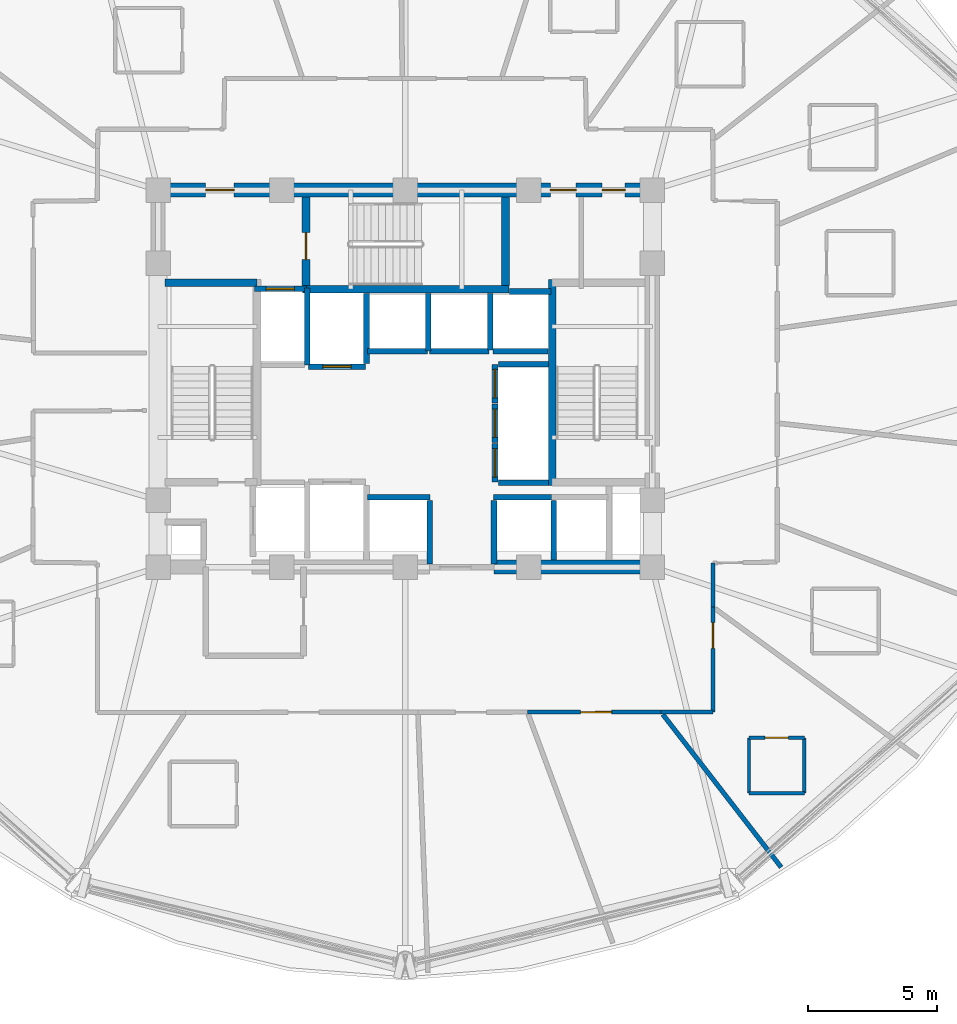
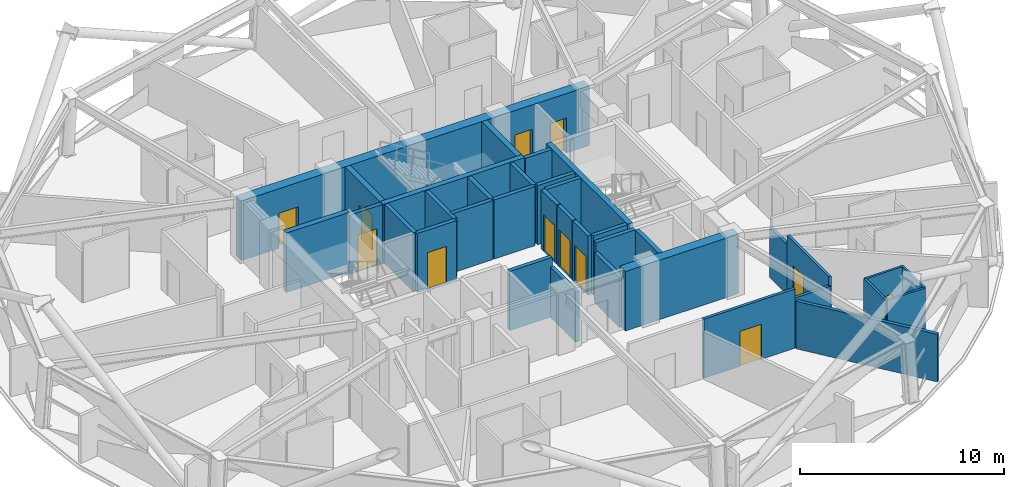
# One storey, part 7 of 13: 36 walls, 12 doors, 12 openings.
"""IFC4 building model written with IfcOpenShell, lengths in metres."""

from ifc_helpers import new_model, si_unit, direction, frame, frame_2d, origin, place, context, subcontext, project, spatial, rectangle, extrude, material, layer, layer_set, type_object, element, fill, save


model = new_model("IFC4")

# Units and contexts
model_context = context("Model", 3, precision=1e-05, world=origin(), true_north=direction((0.0, 1.0)))
body_context = subcontext(model_context, "Body", "Model", "MODEL_VIEW")
ifc_project = project(units=[si_unit("LENGTHUNIT", "METRE"), si_unit("AREAUNIT", "SQUARE_METRE"), si_unit("VOLUMEUNIT", "CUBIC_METRE"), si_unit("PLANEANGLEUNIT", "RADIAN"), si_unit("MASSUNIT", "GRAM", prefix="KILO")], contexts=[model_context])

# Site, building, storey
site_placement = place(None, origin())
site = spatial("IfcSite", under=ifc_project, at=site_placement, CompositionType="ELEMENT")
building_placement = place(site_placement, origin())
building = spatial("IfcBuilding", under=site, at=building_placement, Name="Vantalir Tower", CompositionType="ELEMENT")
storey_placement = place(building_placement, frame((0.0, 0.0, 127.199951171875)))
storey = spatial("IfcBuildingStorey", under=building, at=storey_placement, Name="L31", CompositionType="ELEMENT", Elevation=127.199951171875)

# Wall
ifc_material_1 = material(Name="Moisture-resistant en-suite partition", Category="gypsum")
ifc_layer_1 = layer(ifc_material_1, 0.125)
ifc_layer_set_1 = layer_set([ifc_layer_1], Name="Moisture-resistant en-suite partition")
wall_type_1 = type_object("IfcWallType", Name="WL-BATH-125", PredefinedType="PARTITIONING", material=ifc_layer_set_1)
wall_1_placement = place(storey_placement, frame((44.85888671875, 9.01806640625, 0.0), z_axis=(0.0, 0.0, 1.0), x_axis=(1.0, 0.0, 0.0)))
element("IfcWall", 1, at=wall_1_placement, inside=storey, type_object=wall_type_1, Name="L31 En-suite 15 South Wall", PredefinedType="PARTITIONING", context=body_context, shape_type="SweptSolid", body=[
    extrude(rectangle(XDim=2.150146484375, YDim=0.125, at=frame_2d((1.0751953125, 0.0))), origin(), (0.0, 0.0, 1.0), 3.550048828125),
])

# Wall, opening, door
wall_2_placement = place(storey_placement, frame((44.85888671875, 11.16796875, 0.0), z_axis=(0.0, 0.0, 1.0), x_axis=(1.0, 0.0, 0.0)))
wall_2 = element("IfcWall", 2, at=wall_2_placement, inside=storey, type_object=wall_type_1, Name="L31 En-suite 15 North Wall", PredefinedType="PARTITIONING", context=body_context, shape_type="SweptSolid", body=[
    extrude(rectangle(XDim=2.150146484375, YDim=0.125, at=frame_2d((1.0751953125, 0.0))), origin(), (0.0, 0.0, 1.0), 3.550048828125),
])
opening_1_placement = place(wall_2_placement, frame((0.625, 0.0, 0.0)))
opening_1 = element("IfcOpeningElement", 3, at=opening_1_placement, cuts=wall_2, Name="Opening D-WC", PredefinedType="OPENING", context=body_context, shape_type="SweptSolid", body=[
    extrude(rectangle(XDim=0.89990234375, YDim=2.10009765625, at=frame_2d((0.449951171875, 1.050048828125))), frame((0.0, 0.072509765625, 0.0), z_axis=(0.0, -1.0, 0.0), x_axis=(1.0, 0.0, 0.0)), (0.0, 0.0, 1.0), 0.14501953125),
])
ifc_material_2 = material(Name="Moisture-resistant hardwood door", Category="wood")
door_type_1 = type_object("IfcDoorType", Name="DR-ENSUITE-900", OperationType="NOTDEFINED", PredefinedType="DOOR", material=ifc_material_2)
door_1_placement = place(opening_1_placement, frame((0.89990234375, 0.0, 0.0), z_axis=(0.0, 0.0, 1.0), x_axis=(-1.0, 0.0, 0.0)))
door_1 = element("IfcDoor", 4, at=door_1_placement, inside=storey, type_object=door_type_1, Name="L31 En-suite 15 Door", OperationType="SINGLE_SWING_LEFT", OverallHeight=2.10009765625, OverallWidth=0.89990234375, PredefinedType="DOOR", context=body_context, shape_type="SweptSolid", body=[
    extrude(rectangle(XDim=0.89990234375, YDim=2.10009765625, at=frame_2d((0.449951171875, 1.050048828125))), frame((0.0, 0.02490234375, 0.0), z_axis=(0.0, -1.0, 0.0), x_axis=(1.0, 0.0, 0.0)), (0.0, 0.0, 1.0), 0.050048828125),
])
fill(opening_1, door_1)

# Walls
for number, where, z_axis, x_axis, name in (
    (5, (44.85888671875, 9.01806640625, 0.0), (0.0, 0.0, 1.0), (0.0, 1.0, 0.0), "L31 En-suite 15 West Wall"),
    (6, (47.009033203125, 9.01806640625, 0.0), (0.0, 0.0, 1.0), (0.0, 1.0, 0.0), "L31 En-suite 15 East Wall"),
):
    element("IfcWall", number, at=place(storey_placement, frame(where, z_axis=z_axis, x_axis=x_axis)), inside=storey, type_object=wall_type_1, Name=name, PredefinedType="PARTITIONING", context=body_context, shape_type="SweptSolid", body=[
        extrude(rectangle(XDim=2.14990234375, YDim=0.125, at=frame_2d((1.074951171875, 0.0))), origin(), (0.0, 0.0, 1.0), 3.550048828125),
    ])
ifc_material_3 = material(Name="Concrete C60/75", Category="concrete")
ifc_layer_2 = layer(ifc_material_3, 0.550048828125)
ifc_layer_set_2 = layer_set([ifc_layer_2], Name="Concrete C60/75")
wall_type_2 = type_object("IfcWallType", Name="WL-CORE-550", PredefinedType="SHEAR", material=ifc_layer_set_2)
wall_3_placement = place(storey_placement, frame((34.949951171875, 17.800048828125, 0.0), z_axis=(0.0, 0.0, 1.0), x_axis=(1.0, 0.0, 0.0)))
element("IfcWall", 7, at=wall_3_placement, inside=storey, type_object=wall_type_2, Name="L31 Core Shear Wall South-East", PredefinedType="SHEAR", context=body_context, shape_type="SweptSolid", body=[
    extrude(rectangle(XDim=6.425048828125, YDim=0.550048828125, at=frame_2d((3.21240234375, 0.0))), origin(), (0.0, 0.0, 1.0), 3.570068359375),
])

# Wall, openings, doors
wall_4_placement = place(storey_placement, frame((21.625, 32.449951171875, 0.0), z_axis=(0.0, 0.0, 1.0), x_axis=(1.0, 0.0, 0.0)))
wall_4 = element("IfcWall", 8, at=wall_4_placement, inside=storey, type_object=wall_type_2, Name="L31 Core Shear Wall North", PredefinedType="SHEAR", context=body_context, shape_type="SweptSolid", body=[
    extrude(rectangle(XDim=19.75, YDim=0.550048828125, at=frame_2d((9.875, 0.0))), origin(), (0.0, 0.0, 1.0), 3.570068359375),
])
opening_2_placement = place(wall_4_placement, frame((2.125, 0.0, 0.0)))
opening_2 = element("IfcOpeningElement", 9, at=opening_2_placement, cuts=wall_4, Name="Opening D-FFL", PredefinedType="OPENING", context=body_context, shape_type="SweptSolid", body=[
    extrude(rectangle(XDim=1.10009765625, YDim=2.10009765625, at=frame_2d((0.550048828125, 1.050048828125))), frame((0.0, 0.284912109375, 0.0), z_axis=(0.0, -1.0, 0.0), x_axis=(1.0, 0.0, 0.0)), (0.0, 0.0, 1.0), 0.570068359375),
])
opening_3_placement = place(wall_4_placement, frame((15.514892578125, 0.0, 0.0)))
opening_3 = element("IfcOpeningElement", 10, at=opening_3_placement, cuts=wall_4, Name="Opening D-GUEST", PredefinedType="OPENING", context=body_context, shape_type="SweptSolid", body=[
    extrude(rectangle(XDim=1.0, YDim=2.10009765625, at=frame_2d((0.5, 1.050048828125))), frame((0.0, 0.284912109375, 0.0), z_axis=(0.0, -1.0, 0.0), x_axis=(1.0, 0.0, 0.0)), (0.0, 0.0, 1.0), 0.570068359375),
])
opening_4_placement = place(wall_4_placement, frame((17.52490234375, 0.0, 0.0)))
opening_4 = element("IfcOpeningElement", 11, at=opening_4_placement, cuts=wall_4, Name="Opening D-CR", PredefinedType="OPENING", context=body_context, shape_type="SweptSolid", body=[
    extrude(rectangle(XDim=0.89990234375, YDim=2.10009765625, at=frame_2d((0.449951171875, 1.050048828125))), frame((0.0, 0.284912109375, 0.0), z_axis=(0.0, -1.0, 0.0), x_axis=(1.0, 0.0, 0.0)), (0.0, 0.0, 1.0), 0.570068359375),
])
ifc_material_4 = material(Name="Fire-rated steel core service door", Category="steel")
door_type_2 = type_object("IfcDoorType", Name="DR-CORE-SERV-900", OperationType="NOTDEFINED", PredefinedType="DOOR", material=ifc_material_4)
door_2_placement = place(opening_4_placement, frame((0.89990234375, 0.0, 0.0), z_axis=(0.0, 0.0, 1.0), x_axis=(-1.0, 0.0, 0.0)))
door_2 = element("IfcDoor", 12, at=door_2_placement, inside=storey, type_object=door_type_2, Name="L31 Housekeeping and Linen Room Door", OperationType="SINGLE_SWING_RIGHT", OverallHeight=2.10009765625, OverallWidth=0.89990234375, PredefinedType="DOOR", context=body_context, shape_type="SweptSolid", body=[
    extrude(rectangle(XDim=0.89990234375, YDim=2.10009765625, at=frame_2d((0.449951171875, 1.050048828125))), frame((0.0, 0.02490234375, 0.0), z_axis=(0.0, -1.0, 0.0), x_axis=(1.0, 0.0, 0.0)), (0.0, 0.0, 1.0), 0.050048828125),
])
fill(opening_4, door_2)
ifc_material_5 = material(Name="Fire-rated acoustic steel door", Category="steel")
door_type_3 = type_object("IfcDoorType", Name="DR-FIRE-LOBBY-1100", OperationType="NOTDEFINED", PredefinedType="DOOR", material=ifc_material_5)
door_3_placement = place(opening_2_placement, frame((1.10009765625, 0.0, 0.0), z_axis=(0.0, 0.0, 1.0), x_axis=(-1.0, 0.0, 0.0)))
door_3 = element("IfcDoor", 13, at=door_3_placement, inside=storey, type_object=door_type_3, Name="L31 Firefighting Lobby East Access Door", OperationType="SINGLE_SWING_LEFT", OverallHeight=2.10009765625, OverallWidth=1.10009765625, PredefinedType="DOOR", context=body_context, shape_type="SweptSolid", body=[
    extrude(rectangle(XDim=1.10009765625, YDim=2.10009765625, at=frame_2d((0.550048828125, 1.050048828125))), frame((0.0, 0.02490234375, 0.0), z_axis=(0.0, -1.0, 0.0), x_axis=(1.0, 0.0, 0.0)), (0.0, 0.0, 1.0), 0.050048828125),
])
fill(opening_2, door_3)
ifc_material_6 = material(Name="Solid-core teak veneer acoustic fire door", Category="wood")
door_type_4 = type_object("IfcDoorType", Name="DR-GUEST-ENTRY-1000", OperationType="NOTDEFINED", PredefinedType="DOOR", material=ifc_material_6)
door_4_placement = place(opening_3_placement, frame((1.0, 0.0, 0.0), z_axis=(0.0, 0.0, 1.0), x_axis=(-1.0, 0.0, 0.0)))
door_4 = element("IfcDoor", 14, at=door_4_placement, inside=storey, type_object=door_type_4, Name="L31 High-Rise Lift Lobby Door", OperationType="SINGLE_SWING_LEFT", OverallHeight=2.10009765625, OverallWidth=1.0, PredefinedType="DOOR", context=body_context, shape_type="SweptSolid", body=[
    extrude(rectangle(XDim=1.0, YDim=2.10009765625, at=frame_2d((0.5, 1.050048828125))), frame((0.0, 0.02490234375, 0.0), z_axis=(0.0, -1.0, 0.0), x_axis=(1.0, 0.0, 0.0)), (0.0, 0.0, 1.0), 0.050048828125),
])
fill(opening_3, door_4)

# Wall
ifc_material_7 = material(Name="Fire-rated hotel corridor acoustic partition", Category="gypsum")
ifc_layer_3 = layer(ifc_material_7, 0.159912109375)
ifc_layer_set_3 = layer_set([ifc_layer_3], Name="Fire-rated hotel corridor acoustic partition")
wall_type_3 = type_object("IfcWallType", Name="WL-CORR-160", PredefinedType="PARTITIONING", material=ifc_layer_set_3)
wall_5_placement = place(storey_placement, frame((43.465087890625, 17.9599609375, 0.0), z_axis=(0.0, 0.0, 1.0), x_axis=(-0.001279680454, -0.999999181209, 0.0)))
element("IfcWall", 15, at=wall_5_placement, inside=storey, type_object=wall_type_3, Name="L31 Corridor Partition 24", PredefinedType="PARTITIONING", context=body_context, shape_type="SweptSolid", body=[
    extrude(rectangle(XDim=1.717041015625, YDim=0.159912109375, at=frame_2d((0.8583984375, 0.0))), origin(), (0.0, 0.0, 1.0), 3.006103515625),
])

# Wall, opening, door
wall_6_placement = place(storey_placement, frame((43.462890625, 16.242919921875, 0.0), z_axis=(0.0, 0.0, 1.0), x_axis=(-0.001198249694, -0.999999282099, 0.0)))
wall_6 = element("IfcWall", 16, at=wall_6_placement, inside=storey, type_object=wall_type_3, Name="L31 Corridor Partition 25", PredefinedType="PARTITIONING", context=body_context, shape_type="SweptSolid", body=[
    extrude(rectangle(XDim=4.074951171875, YDim=0.159912109375, at=frame_2d((2.03759765625, 0.0))), origin(), (0.0, 0.0, 1.0), 3.550048828125),
])
opening_5_placement = place(wall_6_placement, frame((0.594970703125, 0.0, 0.0)))
opening_5 = element("IfcOpeningElement", 17, at=opening_5_placement, cuts=wall_6, Name="Opening D-GUEST", PredefinedType="OPENING", context=body_context, shape_type="SweptSolid", body=[
    extrude(rectangle(XDim=1.0, YDim=2.10009765625, at=frame_2d((0.5, 1.050048828125))), frame((0.0, 0.08984375, 0.0), z_axis=(0.0, -1.0, 0.0), x_axis=(1.0, 0.0, 0.0)), (0.0, 0.0, 1.0), 0.179931640625),
])
door_5_placement = place(opening_5_placement, origin())
door_5 = element("IfcDoor", 18, at=door_5_placement, inside=storey, type_object=door_type_4, Name="L31 Deluxe King Hotel Room 15 Door", OperationType="SINGLE_SWING_RIGHT", OverallHeight=2.10009765625, OverallWidth=1.0, PredefinedType="DOOR", context=body_context, shape_type="SweptSolid", body=[
    extrude(rectangle(XDim=1.0, YDim=2.10009765625, at=frame_2d((0.5, 1.050048828125))), frame((0.0, 0.02490234375, 0.0), z_axis=(0.0, -1.0, 0.0), x_axis=(1.0, 0.0, 0.0)), (0.0, 0.0, 1.0), 0.050048828125),
])
fill(opening_5, door_5)

# Wall
wall_7_placement = place(storey_placement, frame((43.4580078125, 12.16796875, 0.0), z_axis=(0.0, 0.0, 1.0), x_axis=(-0.999999882802, -0.000484144218, 0.0)))
element("IfcWall", 19, at=wall_7_placement, inside=storey, type_object=wall_type_3, Name="L31 Corridor Partition 26", PredefinedType="PARTITIONING", context=body_context, shape_type="SweptSolid", body=[
    extrude(rectangle(XDim=2.01708984375, YDim=0.159912109375, at=frame_2d((1.008544921875, 0.0))), origin(), (0.0, 0.0, 1.0), 3.006103515625),
])

# Wall, opening, door
wall_8_placement = place(storey_placement, frame((41.44091796875, 12.1669921875, 0.0), z_axis=(0.0, 0.0, 1.0), x_axis=(-0.999999840674, -0.000564493277, 0.0)))
wall_8 = element("IfcWall", 20, at=wall_8_placement, inside=storey, type_object=wall_type_3, Name="L31 Corridor Partition 27", PredefinedType="PARTITIONING", context=body_context, shape_type="SweptSolid", body=[
    extrude(rectangle(XDim=5.18994140625, YDim=0.159912109375, at=frame_2d((2.594970703125, 0.0))), origin(), (0.0, 0.0, 1.0), 3.550048828125),
])
opening_6_placement = place(wall_8_placement, frame((1.922119140625, 0.0, 0.0)))
opening_6 = element("IfcOpeningElement", 21, at=opening_6_placement, cuts=wall_8, Name="Opening D-STE", PredefinedType="OPENING", context=body_context, shape_type="SweptSolid", body=[
    extrude(rectangle(XDim=1.199951171875, YDim=2.10009765625, at=frame_2d((0.60009765625, 1.050048828125))), frame((0.0, 0.08984375, 0.0), z_axis=(0.0, -1.0, 0.0), x_axis=(1.0, 0.0, 0.0)), (0.0, 0.0, 1.0), 0.179931640625),
])
ifc_material_8 = material(Name="Solid-core teak veneer suite entrance door", Category="wood")
door_type_5 = type_object("IfcDoorType", Name="DR-SUITE-ENTRY-1200", OperationType="NOTDEFINED", PredefinedType="DOOR", material=ifc_material_8)
door_6_placement = place(opening_6_placement, origin())
door_6 = element("IfcDoor", 22, at=door_6_placement, inside=storey, type_object=door_type_5, Name="L31 Executive Sky Boardroom 14 Door", OperationType="SINGLE_SWING_LEFT", OverallHeight=2.10009765625, OverallWidth=1.199951171875, PredefinedType="DOOR", context=body_context, shape_type="SweptSolid", body=[
    extrude(rectangle(XDim=1.199951171875, YDim=2.10009765625, at=frame_2d((0.60009765625, 1.050048828125))), frame((0.0, 0.02490234375, 0.0), z_axis=(0.0, -1.0, 0.0), x_axis=(1.0, 0.0, 0.0)), (0.0, 0.0, 1.0), 0.050048828125),
])
fill(opening_6, door_6)

# Walls
ifc_material_9 = material(Name="Concrete blockwork with fireboard lining", Category="masonry")
ifc_layer_4 = layer(ifc_material_9, 0.219970703125)
ifc_layer_set_4 = layer_set([ifc_layer_4], Name="Concrete blockwork with fireboard lining")
wall_type_4 = type_object("IfcWallType", Name="WL-FFL-220", PredefinedType="PARTITIONING", material=ifc_layer_set_4)
for number, where, z_axis, x_axis, name in (
    (23, (32.449951171875, 17.919921875, 0.0), (0.0, 0.0, 1.0), (0.0, 1.0, 0.0), "L31 Shuttle Lift PL-X1 East Shaft Cheek"),
    (24, (34.949951171875, 17.919921875, 0.0), (0.0, 0.0, 1.0), (0.0, 1.0, 0.0), "L31 Shuttle Lift PL-X3 West Shaft Cheek"),
):
    element("IfcWall", number, at=place(storey_placement, frame(where, z_axis=z_axis, x_axis=x_axis)), inside=storey, type_object=wall_type_4, Name=name, PredefinedType="PARTITIONING", context=body_context, shape_type="SweptSolid", body=[
        extrude(rectangle(XDim=2.469970703125, YDim=0.219970703125, at=frame_2d((1.23486328125, 0.0))), origin(), (0.0, 0.0, 1.0), 3.006103515625),
    ])
wall_9_placement = place(storey_placement, frame((37.27490234375, 18.080078125, 0.0), z_axis=(0.0, 0.0, 1.0), x_axis=(0.0, 1.0, 0.0)))
element("IfcWall", 25, at=wall_9_placement, inside=storey, type_object=wall_type_4, Name="L31 Shuttle Lift PL-X2/X3 Shaft Divider", PredefinedType="PARTITIONING", context=body_context, shape_type="SweptSolid", body=[
    extrude(rectangle(XDim=2.309814453125, YDim=0.219970703125, at=frame_2d((1.15478515625, 0.0))), origin(), (0.0, 0.0, 1.0), 3.545166015625),
])
wall_10_placement = place(storey_placement, frame((30.0, 25.7099609375, 0.0), z_axis=(0.0, 0.0, 1.0), x_axis=(0.0, 1.0, 0.0)))
element("IfcWall", 26, at=wall_10_placement, inside=storey, type_object=wall_type_4, Name="L31 Service Lift SV2 East Shaft Wall", PredefinedType="PARTITIONING", context=body_context, shape_type="SweptSolid", body=[
    extrude(rectangle(XDim=2.72998046875, YDim=0.219970703125, at=frame_2d((1.364990234375, 0.0))), origin(), (0.0, 0.0, 1.0), 3.545166015625),
])
wall_11_placement = place(storey_placement, frame((32.39990234375, 26.199951171875, 0.0), z_axis=(0.0, 0.0, 1.0), x_axis=(0.0, 1.0, 0.0)))
element("IfcWall", 27, at=wall_11_placement, inside=storey, type_object=wall_type_4, Name="L31 High-Rise Lift PL-H1/H2 Shaft Divider", PredefinedType="PARTITIONING", context=body_context, shape_type="SweptSolid", body=[
    extrude(rectangle(XDim=2.239990234375, YDim=0.219970703125, at=frame_2d((1.1201171875, 0.0))), origin(), (0.0, 0.0, 1.0), 3.545166015625),
])
wall_12_placement = place(storey_placement, frame((34.800048828125, 26.22998046875, 0.0), z_axis=(0.0, 0.0, 1.0), x_axis=(0.0, 1.0, 0.0)))
element("IfcWall", 28, at=wall_12_placement, inside=storey, type_object=wall_type_4, Name="L31 High-Rise Lift PL-H2/H3 Shaft Divider", PredefinedType="PARTITIONING", context=body_context, shape_type="SweptSolid", body=[
    extrude(rectangle(XDim=2.2099609375, YDim=0.219970703125, at=frame_2d((1.10498046875, 0.0))), origin(), (0.0, 0.0, 1.0), 3.545166015625),
])
wall_13_placement = place(storey_placement, frame((34.909912109375, 26.18994140625, 0.0), z_axis=(0.0, 0.0, 1.0), x_axis=(1.0, 0.0, 0.0)))
element("IfcWall", 29, at=wall_13_placement, inside=storey, type_object=wall_type_4, Name="L31 High-Rise Lift PL-H3 Rear Shaft Wall", PredefinedType="PARTITIONING", context=body_context, shape_type="SweptSolid", body=[
    extrude(rectangle(XDim=2.14013671875, YDim=0.219970703125, at=frame_2d((1.070068359375, 0.0))), origin(), (0.0, 0.0, 1.0), 3.545166015625),
])

# Wall, opening, door
wall_14_placement = place(storey_placement, frame((25.639892578125, 28.610107421875, 0.0), z_axis=(0.0, 0.0, 1.0), x_axis=(1.0, 0.0, 0.0)))
wall_14 = element("IfcWall", 30, at=wall_14_placement, inside=storey, type_object=wall_type_4, Name="L31 Lift FL2 Shaft Front Wall", PredefinedType="PARTITIONING", context=body_context, shape_type="SweptSolid", body=[
    extrude(rectangle(XDim=2.02001953125, YDim=0.219970703125, at=frame_2d((1.010009765625, 0.0))), origin(), (0.0, 0.0, 1.0), 3.550048828125),
])
opening_7_placement = place(wall_14_placement, frame((0.4599609375, 0.0, 0.0)))
opening_7 = element("IfcOpeningElement", 31, at=opening_7_placement, cuts=wall_14, Name="Opening LD-FL2", PredefinedType="OPENING", context=body_context, shape_type="SweptSolid", body=[
    extrude(rectangle(XDim=1.10009765625, YDim=2.199951171875, at=frame_2d((0.550048828125, 1.10009765625))), frame((0.0, 0.119873046875, 0.0), z_axis=(0.0, -1.0, 0.0), x_axis=(1.0, 0.0, 0.0)), (0.0, 0.0, 1.0), 0.239990234375),
])
ifc_material_10 = material(Name="Brushed stainless-steel sliding lift landing door", Category="steel")
door_type_6 = type_object("IfcDoorType", Name="DR-LIFT-LANDING-1100", OperationType="DOUBLE_DOOR_SLIDING", PredefinedType="DOOR", material=ifc_material_10)
door_7_placement = place(opening_7_placement, origin())
door_7 = element("IfcDoor", 32, at=door_7_placement, inside=storey, type_object=door_type_6, Name="L31 Lift Landing Door FL2", OperationType="DOUBLE_DOOR_SLIDING", OverallHeight=2.199951171875, OverallWidth=1.10009765625, PredefinedType="DOOR", context=body_context, shape_type="SweptSolid", body=[
    extrude(rectangle(XDim=1.10009765625, YDim=2.199951171875, at=frame_2d((0.550048828125, 1.10009765625))), frame((0.0, 0.02490234375, 0.0), z_axis=(0.0, -1.0, 0.0), x_axis=(1.0, 0.0, 0.0)), (0.0, 0.0, 1.0), 0.050048828125),
])
fill(opening_7, door_7)

wall_15_placement = place(storey_placement, frame((27.739990234375, 25.590087890625, 0.0), z_axis=(0.0, 0.0, 1.0), x_axis=(1.0, 0.0, 0.0)))
wall_15 = element("IfcWall", 33, at=wall_15_placement, inside=storey, type_object=wall_type_4, Name="L31 Lift SV2 Shaft Front Wall", PredefinedType="PARTITIONING", context=body_context, shape_type="SweptSolid", body=[
    extrude(rectangle(XDim=2.219970703125, YDim=0.219970703125, at=frame_2d((1.10986328125, 0.0))), origin(), (0.0, 0.0, 1.0), 3.550048828125),
])
opening_8_placement = place(wall_15_placement, frame((0.56005859375, 0.0, 0.0)))
opening_8 = element("IfcOpeningElement", 34, at=opening_8_placement, cuts=wall_15, Name="Opening LD-SV2", PredefinedType="OPENING", context=body_context, shape_type="SweptSolid", body=[
    extrude(rectangle(XDim=1.10009765625, YDim=2.199951171875, at=frame_2d((0.550048828125, 1.10009765625))), frame((0.0, 0.119873046875, 0.0), z_axis=(0.0, -1.0, 0.0), x_axis=(1.0, 0.0, 0.0)), (0.0, 0.0, 1.0), 0.239990234375),
])
door_8_placement = place(opening_8_placement, frame((1.10009765625, 0.0, 0.0), z_axis=(0.0, 0.0, 1.0), x_axis=(-1.0, 0.0, 0.0)))
door_8 = element("IfcDoor", 35, at=door_8_placement, inside=storey, type_object=door_type_6, Name="L31 Lift Landing Door SV2", OperationType="DOUBLE_DOOR_SLIDING", OverallHeight=2.199951171875, OverallWidth=1.10009765625, PredefinedType="DOOR", context=body_context, shape_type="SweptSolid", body=[
    extrude(rectangle(XDim=1.10009765625, YDim=2.199951171875, at=frame_2d((0.550048828125, 1.10009765625))), frame((0.0, 0.02490234375, 0.0), z_axis=(0.0, -1.0, 0.0), x_axis=(1.0, 0.0, 0.0)), (0.0, 0.0, 1.0), 0.050048828125),
])
fill(opening_8, door_8)

# Walls
wall_16_placement = place(storey_placement, frame((30.0400390625, 20.510009765625, 0.0), z_axis=(0.0, 0.0, 1.0), x_axis=(1.0, 0.0, 0.0)))
element("IfcWall", 36, at=wall_16_placement, inside=storey, type_object=wall_type_4, Name="L31 Lift PL-X1 Shaft Front Wall", PredefinedType="PARTITIONING", context=body_context, shape_type="SweptSolid", body=[
    extrude(rectangle(XDim=2.419921875, YDim=0.219970703125, at=frame_2d((1.2099609375, 0.0))), origin(), (0.0, 0.0, 1.0), 3.550048828125),
])
wall_17_placement = place(storey_placement, frame((34.93994140625, 20.510009765625, 0.0), z_axis=(0.0, 0.0, 1.0), x_axis=(1.0, 0.0, 0.0)))
element("IfcWall", 37, at=wall_17_placement, inside=storey, type_object=wall_type_4, Name="L31 Lift PL-X3 Shaft Front Wall", PredefinedType="PARTITIONING", context=body_context, shape_type="SweptSolid", body=[
    extrude(rectangle(XDim=2.239990234375, YDim=0.219970703125, at=frame_2d((1.1201171875, 0.0))), origin(), (0.0, 0.0, 1.0), 3.550048828125),
])
for number, where, z_axis, x_axis, name in (
    (38, (30.0400390625, 26.18994140625, 0.0), (0.0, 0.0, 1.0), (1.0, 0.0, 0.0), "L31 Lift PL-H1 Shaft Front Wall"),
    (39, (32.43994140625, 26.18994140625, 0.0), (0.0, 0.0, 1.0), (1.0, 0.0, 0.0), "L31 Lift PL-H2 Shaft Front Wall"),
):
    element("IfcWall", number, at=place(storey_placement, frame(where, z_axis=z_axis, x_axis=x_axis)), inside=storey, type_object=wall_type_4, Name=name, PredefinedType="PARTITIONING", context=body_context, shape_type="SweptSolid", body=[
        extrude(rectangle(XDim=2.320068359375, YDim=0.219970703125, at=frame_2d((1.16015625, 0.0))), origin(), (0.0, 0.0, 1.0), 3.550048828125),
    ])
wall_18_placement = place(storey_placement, frame((35.56005859375, 28.510009765625, 0.0), z_axis=(0.0, 0.0, 1.0), x_axis=(1.0, 0.0, 0.0)))
element("IfcWall", 40, at=wall_18_placement, inside=storey, type_object=wall_type_4, Name="L31 Lift PL-H3 Shaft Front Wall", PredefinedType="PARTITIONING", context=body_context, shape_type="SweptSolid", body=[
    extrude(rectangle(XDim=1.599853515625, YDim=0.219970703125, at=frame_2d((0.7998046875, 0.0))), origin(), (0.0, 0.0, 1.0), 3.550048828125),
])

# Wall, opening, door
wall_19_placement = place(storey_placement, frame((34.989990234375, 21.10009765625, 0.0), z_axis=(0.0, 0.0, 1.0), x_axis=(0.0, 1.0, 0.0)))
wall_19 = element("IfcWall", 41, at=wall_19_placement, inside=storey, type_object=wall_type_4, Name="L31 Lift PL-M1 Shaft Front Wall", PredefinedType="PARTITIONING", context=body_context, shape_type="SweptSolid", body=[
    extrude(rectangle(XDim=1.5, YDim=0.219970703125, at=frame_2d((0.75, 0.0))), origin(), (0.0, 0.0, 1.0), 3.550048828125),
])
opening_9_placement = place(wall_19_placement, frame((0.199951171875, 0.0, 0.0)))
opening_9 = element("IfcOpeningElement", 42, at=opening_9_placement, cuts=wall_19, Name="Opening LD-PL-M1", PredefinedType="OPENING", context=body_context, shape_type="SweptSolid", body=[
    extrude(rectangle(XDim=1.10009765625, YDim=2.199951171875, at=frame_2d((0.550048828125, 1.10009765625))), frame((0.0, 0.119873046875, 0.0), z_axis=(0.0, -1.0, 0.0), x_axis=(1.0, 0.0, 0.0)), (0.0, 0.0, 1.0), 0.239990234375),
])
door_9_placement = place(opening_9_placement, origin())
door_9 = element("IfcDoor", 43, at=door_9_placement, inside=storey, type_object=door_type_6, Name="L31 Lift Landing Door PL-M1", OperationType="DOUBLE_DOOR_SLIDING", OverallHeight=2.199951171875, OverallWidth=1.10009765625, PredefinedType="DOOR", context=body_context, shape_type="SweptSolid", body=[
    extrude(rectangle(XDim=1.10009765625, YDim=2.199951171875, at=frame_2d((0.550048828125, 1.10009765625))), frame((0.0, 0.02490234375, 0.0), z_axis=(0.0, -1.0, 0.0), x_axis=(1.0, 0.0, 0.0)), (0.0, 0.0, 1.0), 0.050048828125),
])
fill(opening_9, door_9)

wall_20_placement = place(storey_placement, frame((34.989990234375, 22.639892578125, 0.0), z_axis=(0.0, 0.0, 1.0), x_axis=(0.0, 1.0, 0.0)))
wall_20 = element("IfcWall", 44, at=wall_20_placement, inside=storey, type_object=wall_type_4, Name="L31 Lift PL-M2 Shaft Front Wall", PredefinedType="PARTITIONING", context=body_context, shape_type="SweptSolid", body=[
    extrude(rectangle(XDim=1.5, YDim=0.219970703125, at=frame_2d((0.75, 0.0))), origin(), (0.0, 0.0, 1.0), 3.550048828125),
])
opening_10_placement = place(wall_20_placement, frame((0.199951171875, 0.0, 0.0)))
opening_10 = element("IfcOpeningElement", 45, at=opening_10_placement, cuts=wall_20, Name="Opening LD-PL-M2", PredefinedType="OPENING", context=body_context, shape_type="SweptSolid", body=[
    extrude(rectangle(XDim=1.10009765625, YDim=2.199951171875, at=frame_2d((0.550048828125, 1.10009765625))), frame((0.0, 0.119873046875, 0.0), z_axis=(0.0, -1.0, 0.0), x_axis=(1.0, 0.0, 0.0)), (0.0, 0.0, 1.0), 0.239990234375),
])
door_10_placement = place(opening_10_placement, origin())
door_10 = element("IfcDoor", 46, at=door_10_placement, inside=storey, type_object=door_type_6, Name="L31 Lift Landing Door PL-M2", OperationType="DOUBLE_DOOR_SLIDING", OverallHeight=2.199951171875, OverallWidth=1.10009765625, PredefinedType="DOOR", context=body_context, shape_type="SweptSolid", body=[
    extrude(rectangle(XDim=1.10009765625, YDim=2.199951171875, at=frame_2d((0.550048828125, 1.10009765625))), frame((0.0, 0.02490234375, 0.0), z_axis=(0.0, -1.0, 0.0), x_axis=(1.0, 0.0, 0.0)), (0.0, 0.0, 1.0), 0.050048828125),
])
fill(opening_10, door_10)

wall_21_placement = place(storey_placement, frame((34.989990234375, 24.179931640625, 0.0), z_axis=(0.0, 0.0, 1.0), x_axis=(0.0, 1.0, 0.0)))
wall_21 = element("IfcWall", 47, at=wall_21_placement, inside=storey, type_object=wall_type_4, Name="L31 Lift PL-M3 Shaft Front Wall", PredefinedType="PARTITIONING", context=body_context, shape_type="SweptSolid", body=[
    extrude(rectangle(XDim=1.5, YDim=0.219970703125, at=frame_2d((0.75, 0.0))), origin(), (0.0, 0.0, 1.0), 3.550048828125),
])
opening_11_placement = place(wall_21_placement, frame((0.199951171875, 0.0, 0.0)))
opening_11 = element("IfcOpeningElement", 48, at=opening_11_placement, cuts=wall_21, Name="Opening LD-PL-M3", PredefinedType="OPENING", context=body_context, shape_type="SweptSolid", body=[
    extrude(rectangle(XDim=1.10009765625, YDim=2.199951171875, at=frame_2d((0.550048828125, 1.10009765625))), frame((0.0, 0.119873046875, 0.0), z_axis=(0.0, -1.0, 0.0), x_axis=(1.0, 0.0, 0.0)), (0.0, 0.0, 1.0), 0.239990234375),
])
door_11_placement = place(opening_11_placement, origin())
door_11 = element("IfcDoor", 49, at=door_11_placement, inside=storey, type_object=door_type_6, Name="L31 Lift Landing Door PL-M3", OperationType="DOUBLE_DOOR_SLIDING", OverallHeight=2.199951171875, OverallWidth=1.10009765625, PredefinedType="DOOR", context=body_context, shape_type="SweptSolid", body=[
    extrude(rectangle(XDim=1.10009765625, YDim=2.199951171875, at=frame_2d((0.550048828125, 1.10009765625))), frame((0.0, 0.02490234375, 0.0), z_axis=(0.0, -1.0, 0.0), x_axis=(1.0, 0.0, 0.0)), (0.0, 0.0, 1.0), 0.050048828125),
])
fill(opening_11, door_11)

# Walls
wall_22_placement = place(storey_placement, frame((27.699951171875, 25.64990234375, 0.0), z_axis=(0.0, 0.0, 1.0), x_axis=(0.0, 1.0, 0.0)))
element("IfcWall", 50, at=wall_22_placement, inside=storey, type_object=wall_type_4, Name="L31 Fire Lift FL2 Dividing Wall", PredefinedType="PARTITIONING", context=body_context, shape_type="SweptSolid", body=[
    extrude(rectangle(XDim=3.0, YDim=0.219970703125, at=frame_2d((1.5, 0.0))), origin(), (0.0, 0.0, 1.0), 3.550048828125),
])
for number, where, z_axis, x_axis, name in (
    (51, (35.1201171875, 21.080078125, 0.0), (0.0, 0.0, 1.0), (1.0, 0.0, 0.0), "L31 Mid-Rise Bank South Wall"),
    (52, (35.1201171875, 25.679931640625, 0.0), (0.0, 0.0, 1.0), (1.0, 0.0, 0.0), "L31 Mid-Rise Bank North Wall"),
):
    element("IfcWall", number, at=place(storey_placement, frame(where, z_axis=z_axis, x_axis=x_axis)), inside=storey, type_object=wall_type_4, Name=name, PredefinedType="PARTITIONING", context=body_context, shape_type="SweptSolid", body=[
        extrude(rectangle(XDim=1.93994140625, YDim=0.219970703125, at=frame_2d((0.969970703125, 0.0))), origin(), (0.0, 0.0, 1.0), 3.550048828125),
    ])
ifc_material_11 = material(Name="Twin-stud acoustic fire-rated gypsum partition", Category="gypsum")
ifc_layer_5 = layer(ifc_material_11, 0.179931640625)
ifc_layer_set_5 = layer_set([ifc_layer_5], Name="Twin-stud acoustic fire-rated gypsum partition")
wall_type_5 = type_object("IfcWallType", Name="WL-GUEST-180", PredefinedType="PARTITIONING", material=ifc_layer_set_5)
wall_23_placement = place(storey_placement, frame((41.511962890625, 12.074951171875, 0.0), z_axis=(0.0, 0.0, 1.0), x_axis=(0.61228009247, -0.790640935169, 0.0)))
element("IfcWall", 53, at=wall_23_placement, inside=storey, type_object=wall_type_5, Name="L31 Radial Suite Partition 15", PredefinedType="PARTITIONING", context=body_context, shape_type="SweptSolid", body=[
    extrude(rectangle(XDim=7.5078125, YDim=0.179931640625, at=frame_2d((3.75390625, 0.0))), origin(), (0.0, 0.0, 1.0), 2.85302734375),
])
ifc_material_12 = material(Name="Concrete C50/60", Category="concrete")
ifc_layer_6 = layer(ifc_material_12, 0.300048828125)
ifc_layer_set_6 = layer_set([ifc_layer_6], Name="Concrete C50/60")
wall_type_6 = type_object("IfcWallType", Name="WL-STAIR-300", PredefinedType="SHEAR", material=ifc_layer_set_6)
wall_24_placement = place(storey_placement, frame((22.175048828125, 28.85009765625, 0.0), z_axis=(0.0, 0.0, 1.0), x_axis=(1.0, 0.0, 0.0)))
element("IfcWall", 54, at=wall_24_placement, inside=storey, type_object=wall_type_6, Name="L31 Stair ST1 North Wall", PredefinedType="SHEAR", context=body_context, shape_type="SweptSolid", body=[
    extrude(rectangle(XDim=3.56494140625, YDim=0.300048828125, at=frame_2d((1.782470703125, 0.0))), origin(), (0.0, 0.0, 1.0), 3.570068359375),
])
wall_25_placement = place(storey_placement, frame((37.2099609375, 20.97998046875, 0.0), z_axis=(0.0, 0.0, 1.0), x_axis=(0.0, 1.0, 0.0)))
element("IfcWall", 55, at=wall_25_placement, inside=storey, type_object=wall_type_6, Name="L31 Stair ST2 West Wall", PredefinedType="SHEAR", context=body_context, shape_type="SweptSolid", body=[
    extrude(rectangle(XDim=7.989990234375, YDim=0.300048828125, at=frame_2d((3.9951171875, 0.0))), origin(), (0.0, 0.0, 1.0), 3.570068359375),
])
wall_26_placement = place(storey_placement, frame((27.510009765625, 28.60009765625, 0.0), z_axis=(0.0, 0.0, 1.0), x_axis=(1.0, 0.0, 0.0)))
element("IfcWall", 56, at=wall_26_placement, inside=storey, type_object=wall_type_6, Name="L31 Stair ST3 South Wall", PredefinedType="SHEAR", context=body_context, shape_type="SweptSolid", body=[
    extrude(rectangle(XDim=8.030029296875, YDim=0.300048828125, at=frame_2d((4.01513671875, 0.0))), origin(), (0.0, 0.0, 1.0), 3.570068359375),
])

# Wall, opening, door
wall_27_placement = place(storey_placement, frame((27.64990234375, 28.75, 0.0), z_axis=(0.0, 0.0, 1.0), x_axis=(0.0, 1.0, 0.0)))
wall_27 = element("IfcWall", 57, at=wall_27_placement, inside=storey, type_object=wall_type_6, Name="L31 Stair ST3 West Wall", PredefinedType="SHEAR", context=body_context, shape_type="SweptSolid", body=[
    extrude(rectangle(XDim=3.425048828125, YDim=0.300048828125, at=frame_2d((1.71240234375, 0.0))), origin(), (0.0, 0.0, 1.0), 3.570068359375),
])
opening_12_placement = place(wall_27_placement, frame((1.0, 0.0, 0.0)))
opening_12 = element("IfcOpeningElement", 58, at=opening_12_placement, cuts=wall_27, Name="Opening D-ST", PredefinedType="OPENING", context=body_context, shape_type="SweptSolid", body=[
    extrude(rectangle(XDim=1.050048828125, YDim=2.10009765625, at=frame_2d((0.52490234375, 1.050048828125))), frame((0.0, 0.159912109375, 0.0), z_axis=(0.0, -1.0, 0.0), x_axis=(1.0, 0.0, 0.0)), (0.0, 0.0, 1.0), 0.320068359375),
])
ifc_material_13 = material(Name="Fire-rated steel door leaf", Category="steel")
door_type_7 = type_object("IfcDoorType", Name="DR-FIRE-STAIR-1050", OperationType="NOTDEFINED", PredefinedType="DOOR", material=ifc_material_13)
door_12_placement = place(opening_12_placement, frame((1.050048828125, 0.0, 0.0), z_axis=(0.0, 0.0, 1.0), x_axis=(-1.0, 0.0, 0.0)))
door_12 = element("IfcDoor", 59, at=door_12_placement, inside=storey, type_object=door_type_7, Name="L31 Exit Stair ST3 Fire Door", OperationType="SINGLE_SWING_RIGHT", OverallHeight=2.10009765625, OverallWidth=1.050048828125, PredefinedType="DOOR", context=body_context, shape_type="SweptSolid", body=[
    extrude(rectangle(XDim=1.050048828125, YDim=2.10009765625, at=frame_2d((0.52490234375, 1.050048828125))), frame((0.0, 0.02490234375, 0.0), z_axis=(0.0, -1.0, 0.0), x_axis=(1.0, 0.0, 0.0)), (0.0, 0.0, 1.0), 0.050048828125),
])
fill(opening_12, door_12)

# Wall
wall_28_placement = place(storey_placement, frame((35.39990234375, 28.75, 0.0), z_axis=(0.0, 0.0, 1.0), x_axis=(0.0, 1.0, 0.0)))
element("IfcWall", 60, at=wall_28_placement, inside=storey, type_object=wall_type_6, Name="L31 Stair ST3 East Wall", PredefinedType="SHEAR", context=body_context, shape_type="SweptSolid", body=[
    extrude(rectangle(XDim=3.425048828125, YDim=0.300048828125, at=frame_2d((1.71240234375, 0.0))), origin(), (0.0, 0.0, 1.0), 3.570068359375),
])

save(model, "model.ifc")
